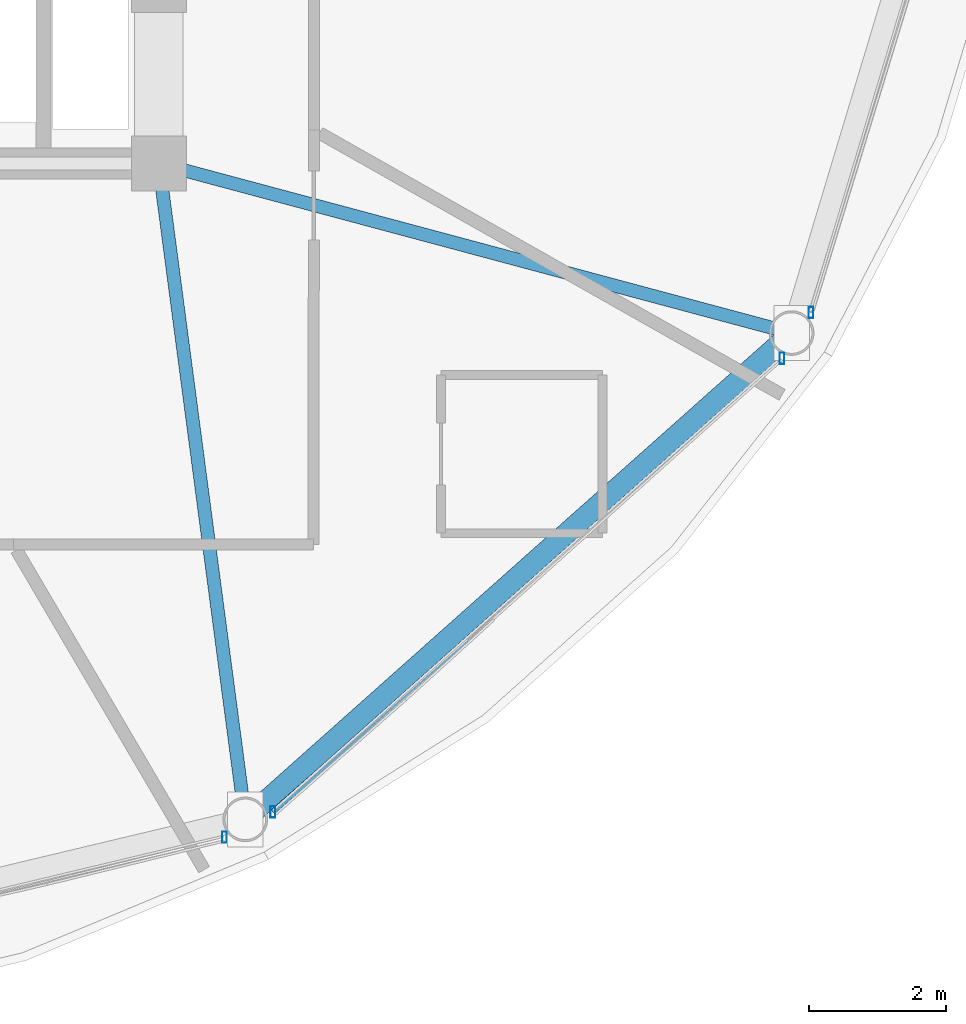
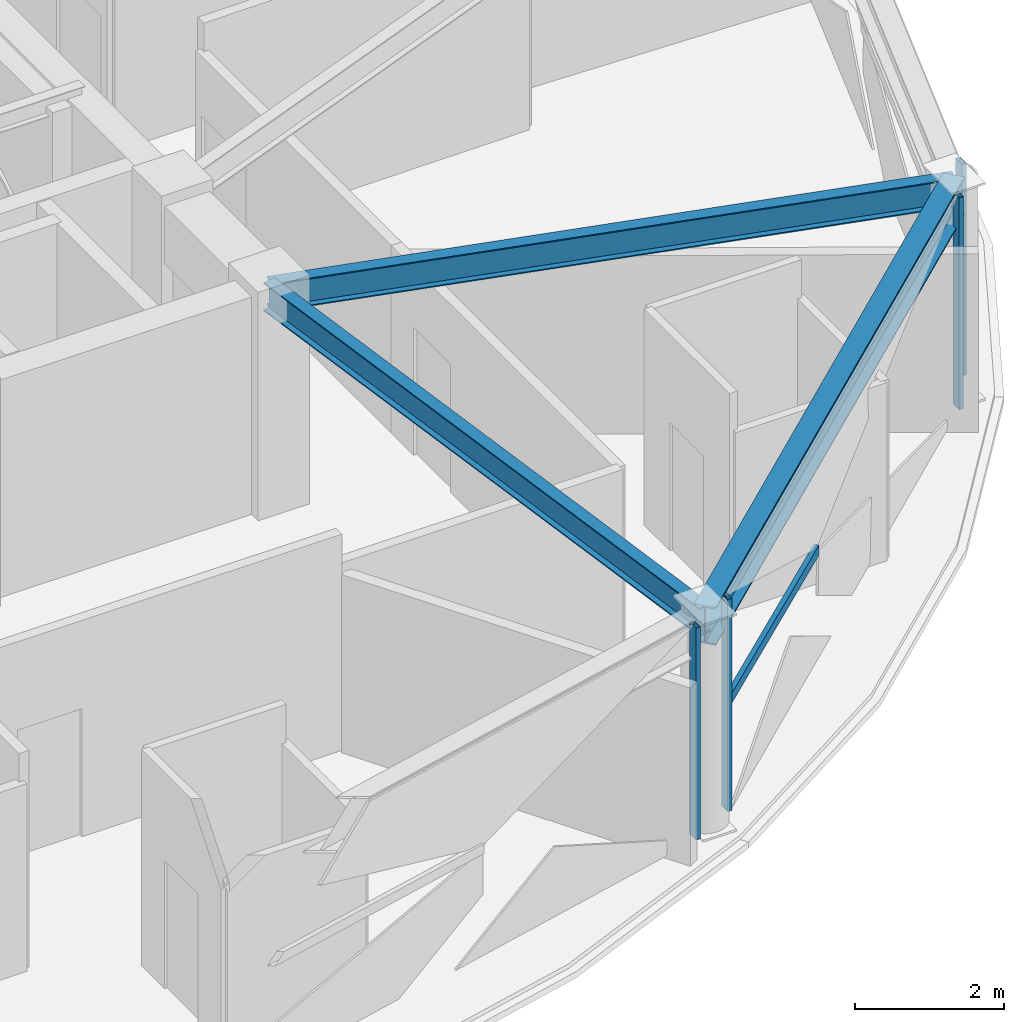
# One storey, part 11 of 28: 5 members, 3 beams, 3 elements without a shape of their own.
"""IFC4 building model written with IfcOpenShell, lengths in metres."""

import ifcopenshell
import ifcopenshell.guid

model = None  # the IFC model being written
_history = None  # IfcOwnerHistory: only IFC2X3 demands one
_inside = {}  # id of a spatial element -> (the spatial element, [elements in it])
_under = {}  # id of a project, library or spatial element -> (it, [spatial elements below it])
_declared = {}  # id of a project -> (the project, [libraries it declares])
_typed = {}  # id of a type object -> (the type object, [elements of that type])
_made_of = {}  # id of a material, layer set ... -> (it, [elements and type objects made of it])


def new_model(schema):
    """Start an empty IFC model of exactly this schema.

    Asked for "IFC4X3", IfcOpenShell would pick the latest addendum, in which some entities
    have other attributes; the version numbers below select the first issue.
    IFC2X3 requires an IfcOwnerHistory on every rooted entity: one is made here for all.
    """
    global model, _history
    if schema == "IFC4X3":
        model = ifcopenshell.file(schema_version=(4, 3, 0, 0))
    else:
        model = ifcopenshell.file(schema=schema)
    _inside.clear()
    _under.clear()
    _declared.clear()
    _typed.clear()
    _made_of.clear()
    _history = None
    if model.schema == "IFC2X3":
        org = make("IfcOrganization", Name="unknown")
        user = make(
            "IfcPersonAndOrganization",
            ThePerson=make("IfcPerson", FamilyName="unknown"),
            TheOrganization=org,
        )
        app = make(
            "IfcApplication",
            ApplicationDeveloper=org,
            Version="unknown",
            ApplicationFullName="unknown",
            ApplicationIdentifier="unknown",
        )
        _history = make(
            "IfcOwnerHistory",
            OwningUser=user,
            OwningApplication=app,
            ChangeAction="ADDED",
            CreationDate=0,
        )
    return model


def make(cls, **values):
    """One entity of the class cls with the attributes given. An attribute that is None is left unset."""
    return model.create_entity(
        cls, **{name: value for name, value in values.items() if value is not None}
    )


def rooted(cls, **values):
    """An entity with a GlobalId (a new one), such as an element, a storey or a relation."""
    return make(cls, GlobalId=ifcopenshell.guid.new(), OwnerHistory=_history, **values)


def si_unit(unit_type, name, prefix=None):
    """IfcSIUnit, for example si_unit("LENGTHUNIT", "METRE", prefix="MILLI")."""
    return make("IfcSIUnit", UnitType=unit_type, Prefix=prefix, Name=name)


def assignment(units):
    """IfcUnitAssignment: the units of a project."""
    return None if units is None else make("IfcUnitAssignment", Units=units)


def point(xyz):
    """IfcCartesianPoint."""
    return None if xyz is None else make("IfcCartesianPoint", Coordinates=xyz)


def direction(xyz):
    """IfcDirection."""
    return None if xyz is None else make("IfcDirection", DirectionRatios=xyz)


def frame(location, z_axis=None, x_axis=None):
    """IfcAxis2Placement3D, a coordinate frame: its origin and axes. An axis left out is left unset."""
    return make(
        "IfcAxis2Placement3D",
        Location=point(location),
        Axis=direction(z_axis),
        RefDirection=direction(x_axis),
    )


def frame_2d(location, x_axis=None):
    """IfcAxis2Placement2D, a coordinate frame in the plane: its origin and x axis."""
    return make(
        "IfcAxis2Placement2D", Location=point(location), RefDirection=direction(x_axis)
    )


def origin():
    """The frame at (0, 0, 0) with its axes left unset."""
    return frame((0.0, 0.0, 0.0))


def origin_2d():
    """The frame at (0, 0) in the plane with its x axis left unset."""
    return frame_2d((0.0, 0.0))


def place(relative_to, where):
    """IfcLocalPlacement: puts the frame where relative to a parent placement (None: the world)."""
    return make(
        "IfcLocalPlacement", PlacementRelTo=relative_to, RelativePlacement=where
    )


def context(
    kind, dimensions, precision=None, world=None, true_north=None, identifier=None
):
    """IfcGeometricRepresentationContext, for example the 3D "Model" context."""
    return make(
        "IfcGeometricRepresentationContext",
        ContextIdentifier=identifier,
        ContextType=kind,
        CoordinateSpaceDimension=dimensions,
        Precision=precision,
        WorldCoordinateSystem=world,
        TrueNorth=true_north,
    )


def subcontext(parent, identifier, kind, view, scale=None):
    """IfcGeometricRepresentationSubContext, for example "Body" below "Model"."""
    return make(
        "IfcGeometricRepresentationSubContext",
        ContextIdentifier=identifier,
        ContextType=kind,
        ParentContext=parent,
        TargetScale=scale,
        TargetView=view,
    )


def project(units=None, contexts=None):
    """IfcProject with its units and contexts."""
    return rooted(
        "IfcProject",
        Name="project",
        RepresentationContexts=contexts,
        UnitsInContext=assignment(units),
    )


def spatial(cls, under=None, at=None, **own):
    """A site, building, storey or space (cls), placed at a placement, below another one or the project."""
    s = rooted(cls, ObjectPlacement=at, **own)
    if under is not None:
        _under.setdefault(under.id(), (under, []))[1].append(s)
    return s


def profile(cls, at=None, kind="AREA", **sizes):
    """A parametric profile (cls). Its sizes go by their IFC names, for example OverallWidth=200.0."""
    return make(cls, ProfileType=kind, Position=at, **sizes)


def hollow_rectangle(**sizes):
    """IfcRectangleHollowProfileDef."""
    return profile("IfcRectangleHollowProfileDef", **sizes)


def i_section(**sizes):
    """IfcIShapeProfileDef."""
    return profile("IfcIShapeProfileDef", **sizes)


def extrude(swept, where, along, depth):
    """IfcExtrudedAreaSolid: the profile swept, set in the frame where, extruded along a direction by depth."""
    return make(
        "IfcExtrudedAreaSolid",
        SweptArea=swept,
        Position=where,
        ExtrudedDirection=direction(along),
        Depth=depth,
    )


def shape(context_of_items, identifier, shape_type, items):
    """IfcShapeRepresentation: the items that make up one representation, for example the "Body"."""
    return make(
        "IfcShapeRepresentation",
        ContextOfItems=context_of_items,
        RepresentationIdentifier=identifier,
        RepresentationType=shape_type,
        Items=items,
    )


def material(Name=None, Category=None):
    """IfcMaterial."""
    return make("IfcMaterial", Name=Name, Category=Category)


def layer(
    of_material, thickness, ventilated=None, Name=None, Category=None, Priority=None
):
    """IfcMaterialLayer: one layer of a wall or slab, of a material (None: an air gap)."""
    return make(
        "IfcMaterialLayer",
        Material=of_material,
        LayerThickness=thickness,
        IsVentilated=ventilated,
        Name=Name,
        Category=Category,
        Priority=Priority,
    )


def layer_set(layers, Name=None):
    """IfcMaterialLayerSet."""
    return make("IfcMaterialLayerSet", MaterialLayers=layers, LayerSetName=Name)


def material_profile(
    of_material, cross_section, Name=None, Category=None, Priority=None
):
    """IfcMaterialProfile: a cross section and its material."""
    return make(
        "IfcMaterialProfile",
        Name=Name,
        Material=of_material,
        Profile=cross_section,
        Priority=Priority,
        Category=Category,
    )


def profile_set(profiles, Name=None, composite=None):
    """IfcMaterialProfileSet."""
    return make(
        "IfcMaterialProfileSet",
        Name=Name,
        MaterialProfiles=profiles,
        CompositeProfile=composite,
    )


def made_of(thing, what):
    """Note that an element or type object is made of a material, layer set ...; save() writes the relation."""
    if what is not None:
        _made_of.setdefault(what.id(), (what, []))[1].append(thing)
    return thing


def type_object(cls, material=None, **own):
    """A type object (cls), such as IfcWallType, which elements share."""
    return made_of(rooted(cls, **own), material)


def element(
    cls,
    number,
    at=None,
    inside=None,
    cuts=None,
    type_object=None,
    material=None,
    context=None,
    identifier="Body",
    shape_type=None,
    held_by="IfcProductDefinitionShape",
    body=None,
    shapes=None,
    **own,
):
    """One element of the class cls, such as IfcWall. Its Tag is "e" and its number.

    at: its placement. inside: the storey or other place that contains it. cuts: it is an
    opening in that element (IfcRelVoidsElement). A single representation is given by context,
    identifier, shape_type and body (its items); several are given by shapes. held_by: the class
    of the entity that holds the representations. save() writes the other relations.
    """
    e = rooted(cls, Tag="e%d" % number, ObjectPlacement=at, **own)
    if body is not None:
        shapes = [shape(context, identifier, shape_type, body)]
    if shapes is not None:
        e.Representation = make(held_by, Representations=shapes)
    if inside is not None:
        _inside.setdefault(inside.id(), (inside, []))[1].append(e)
    if cuts is not None:
        rooted(
            "IfcRelVoidsElement", RelatingBuildingElement=cuts, RelatedOpeningElement=e
        )
    if type_object is not None:
        _typed.setdefault(type_object.id(), (type_object, []))[1].append(e)
    return made_of(e, material)


def aggregate(whole, parts):
    """IfcRelAggregates: a whole, such as a stair, and the parts it consists of."""
    return rooted("IfcRelAggregates", RelatingObject=whole, RelatedObjects=parts)


def save(model, path):
    """Write the relations noted so far, then the file.

    IfcRelAggregates (storeys below a building ...), IfcRelContainedInSpatialStructure (elements
    in a storey), IfcRelDefinesByType, IfcRelAssociatesMaterial and IfcRelDeclares: one each for
    every whole, place, type object, material and project.
    """
    for whole, parts in _under.values():
        aggregate(whole, parts)
    for where, things in _inside.values():
        rooted(
            "IfcRelContainedInSpatialStructure",
            RelatedElements=things,
            RelatingStructure=where,
        )
    for kind, things in _typed.values():
        rooted("IfcRelDefinesByType", RelatedObjects=things, RelatingType=kind)
    for what, things in _made_of.values():
        rooted("IfcRelAssociatesMaterial", RelatedObjects=things, RelatingMaterial=what)
    for by, libraries in _declared.values():
        rooted("IfcRelDeclares", RelatingContext=by, RelatedDefinitions=libraries)
    model.write(path)


model = new_model("IFC4")

# Units and contexts
model_context = context("Model", 3, precision=1e-05, world=origin(), true_north=direction((0.0, 1.0)))
body_context = subcontext(model_context, "Body", "Model", "MODEL_VIEW")
ifc_project = project(units=[si_unit("LENGTHUNIT", "METRE"), si_unit("AREAUNIT", "SQUARE_METRE"), si_unit("VOLUMEUNIT", "CUBIC_METRE"), si_unit("PLANEANGLEUNIT", "RADIAN"), si_unit("MASSUNIT", "GRAM", prefix="KILO")], contexts=[model_context])

# Site, building, storey
site_placement = place(None, origin())
site = spatial("IfcSite", under=ifc_project, at=site_placement, CompositionType="ELEMENT")
building_placement = place(site_placement, origin())
building = spatial("IfcBuilding", under=site, at=building_placement, Name="Vantalir Tower", CompositionType="ELEMENT")
storey_placement = place(building_placement, frame((0.0, 0.0, 238.64990234375)))
storey = spatial("IfcBuildingStorey", under=building, at=storey_placement, Name="L60", CompositionType="ELEMENT", Elevation=238.64990234375)

# Beams
ifc_material_1 = material(Name="Steel S355", Category="steel")
ifc_material_profile_1 = material_profile(ifc_material_1, i_section(OverallWidth=0.19189453125, OverallDepth=0.462890625, WebThickness=0.010498046875, FlangeThickness=0.017578125, at=origin_2d()), Name="Steel S355")
ifc_profile_set_1 = profile_set([ifc_material_profile_1], Name="Steel S355")
beam_type_1 = type_object("IfcBeamType", Name="BM-RB-457x191", PredefinedType="BEAM", material=ifc_profile_set_1)
beam_1_placement = place(storey_placement, frame((42.35888671875, 8.257080078125, 3.338134765625), z_axis=(-0.130774684438, 0.991412115071, 0.0), x_axis=(-0.991412115071, -0.130774684438, 0.0)))
element("IfcBeam", 1, at=beam_1_placement, inside=storey, type_object=beam_type_1, Name="L60 Radial Floor Beam 11", PredefinedType="BEAM", context=body_context, shape_type="SweptSolid", body=[
    extrude(i_section(OverallWidth=0.19189453125, OverallDepth=0.462890625, WebThickness=0.010498046875, FlangeThickness=0.017578125, at=origin_2d()), origin(), (0.0, 0.0, 1.0), 9.625732421875),
])
beam_2_placement = place(storey_placement, frame((50.30810546875, 15.3330078125, 3.338134765625), z_axis=(-0.965932047749, 0.25879582518, 0.0), x_axis=(-0.25879582518, -0.965932047749, 0.0)))
element("IfcBeam", 2, at=beam_2_placement, inside=storey, type_object=beam_type_1, Name="L60 Radial Floor Beam 12", PredefinedType="BEAM", context=body_context, shape_type="SweptSolid", body=[
    extrude(i_section(OverallWidth=0.19189453125, OverallDepth=0.462890625, WebThickness=0.010498046875, FlangeThickness=0.017578125, at=origin_2d()), origin(), (0.0, 0.0, 1.0), 9.53271484375),
])
ifc_material_2 = material(Name="Steel S460", Category="steel")
ifc_material_profile_2 = material_profile(ifc_material_2, i_section(OverallWidth=0.306884765625, OverallDepth=0.6201171875, WebThickness=0.01416015625, FlangeThickness=0.023681640625, at=origin_2d()), Name="Steel S460")
ifc_profile_set_2 = profile_set([ifc_material_profile_2], Name="Steel S460")
beam_type_2 = type_object("IfcBeamType", Name="BM-RG-610x305", PredefinedType="USERDEFINED", material=ifc_profile_set_2)
beam_3_placement = place(storey_placement, frame((42.35888671875, 8.257080078125, 3.260009765625), z_axis=(0.746944629215, 0.664886246577, 0.0), x_axis=(-0.664886246577, 0.746944629215, 0.0)))
element("IfcBeam", 3, at=beam_3_placement, inside=storey, type_object=beam_type_2, Name="L60 Circumferential Ring Girder 11", ObjectType="GIRDER", PredefinedType="USERDEFINED", context=body_context, shape_type="SweptSolid", body=[
    extrude(i_section(OverallWidth=0.306884765625, OverallDepth=0.6201171875, WebThickness=0.01416015625, FlangeThickness=0.023681640625, at=origin_2d()), origin(), (0.0, 0.0, 1.0), 10.642333984375),
])

# Curtain wall, member
ifc_material_3 = material(Name="Champagne-silver PVDF aluminium and double-silver Low-E glass", Category="aluminium")
ifc_layer = layer(ifc_material_3, 0.2099609375)
ifc_layer_set = layer_set([ifc_layer], Name="Champagne-silver PVDF aluminium and double-silver Low-E glass")
curtain_wall_type = type_object("IfcCurtainWallType", Name="CW-DIAMOND-Z3", PredefinedType="USERDEFINED", material=ifc_layer_set)
curtain_wall_1_placement = place(storey_placement, origin())
curtain_wall_1 = element("IfcCurtainWall", 4, at=curtain_wall_1_placement, inside=storey, type_object=curtain_wall_type, Name="L60 Quilted Pyramid-Diamond Curtain Wall S10", ObjectType="UNITISED CURTAIN WALL", PredefinedType="USERDEFINED")
ifc_material_4 = material(Name="Champagne-silver PVDF aluminium 6063-T6", Category="aluminium")
ifc_material_profile_3 = material_profile(ifc_material_4, hollow_rectangle(XDim=0.070068359375, YDim=0.1650390625, WallThickness=0.00390625, at=origin_2d()), Name="Champagne-silver PVDF aluminium 6063-T6")
ifc_profile_set_3 = profile_set([ifc_material_profile_3], Name="Champagne-silver PVDF aluminium 6063-T6")
member_type_1 = type_object("IfcMemberType", Name="CWM-165x70", PredefinedType="MULLION", material=ifc_profile_set_3)
member_1_placement = place(storey_placement, frame((42.054931640625, 7.998046875, 0.045166015625), z_axis=(0.0, 0.0, 1.0), x_axis=(1.0, 0.0, 0.0)))
member_1 = element("IfcMember", 5, at=member_1_placement, type_object=member_type_1, Name="CW-L60-S10 Mullion 2", PredefinedType="MULLION", context=body_context, shape_type="SweptSolid", body=[
    extrude(hollow_rectangle(XDim=0.070068359375, YDim=0.1650390625, WallThickness=0.00390625, at=origin_2d()), origin(), (0.0, 0.0, 1.0), 3.47998046875),
])
aggregate(curtain_wall_1, [member_1])

# Curtain wall, members
curtain_wall_2_placement = place(storey_placement, origin())
curtain_wall_2 = element("IfcCurtainWall", 6, at=curtain_wall_2_placement, inside=storey, type_object=curtain_wall_type, Name="L60 Quilted Pyramid-Diamond Curtain Wall S11", ObjectType="UNITISED CURTAIN WALL", PredefinedType="USERDEFINED")
member_2_placement = place(storey_placement, frame((42.760009765625, 8.365966796875, 0.045166015625), z_axis=(0.0, 0.0, 1.0), x_axis=(1.0, 0.0, 0.0)))
member_2 = element("IfcMember", 7, at=member_2_placement, type_object=member_type_1, Name="CW-L60-S11 Mullion 1", PredefinedType="MULLION", context=body_context, shape_type="SweptSolid", body=[
    extrude(hollow_rectangle(XDim=0.070068359375, YDim=0.1650390625, WallThickness=0.00390625, at=origin_2d()), origin(), (0.0, 0.0, 1.0), 3.47998046875),
])
member_3_placement = place(storey_placement, frame((50.1669921875, 14.965087890625, 0.045166015625), z_axis=(0.0, 0.0, 1.0), x_axis=(1.0, 0.0, 0.0)))
member_3 = element("IfcMember", 8, at=member_3_placement, type_object=member_type_1, Name="CW-L60-S11 Mullion 2", PredefinedType="MULLION", context=body_context, shape_type="SweptSolid", body=[
    extrude(hollow_rectangle(XDim=0.070068359375, YDim=0.1650390625, WallThickness=0.00390625, at=origin_2d()), origin(), (0.0, 0.0, 1.0), 3.47998046875),
])

# Curtain wall, member
curtain_wall_3_placement = place(storey_placement, origin())
curtain_wall_3 = element("IfcCurtainWall", 9, at=curtain_wall_3_placement, inside=storey, type_object=curtain_wall_type, Name="L60 Quilted Pyramid-Diamond Curtain Wall S12", ObjectType="UNITISED CURTAIN WALL", PredefinedType="USERDEFINED")
member_4_placement = place(storey_placement, frame((50.591064453125, 15.631103515625, 0.045166015625), z_axis=(0.0, 0.0, 1.0), x_axis=(1.0, 0.0, 0.0)))
member_4 = element("IfcMember", 10, at=member_4_placement, type_object=member_type_1, Name="CW-L60-S12 Mullion 1", PredefinedType="MULLION", context=body_context, shape_type="SweptSolid", body=[
    extrude(hollow_rectangle(XDim=0.070068359375, YDim=0.1650390625, WallThickness=0.00390625, at=origin_2d()), origin(), (0.0, 0.0, 1.0), 3.47998046875),
])
aggregate(curtain_wall_3, [member_4])

# Member
ifc_material_profile_4 = material_profile(ifc_material_4, hollow_rectangle(XDim=0.074951171875, YDim=0.159912109375, WallThickness=0.00390625, at=origin_2d()), Name="Champagne-silver PVDF aluminium 6063-T6")
ifc_profile_set_4 = profile_set([ifc_material_profile_4], Name="Champagne-silver PVDF aluminium 6063-T6")
member_type_2 = type_object("IfcMemberType", Name="CWT-160x75", PredefinedType="USERDEFINED", material=ifc_profile_set_4)
member_5_placement = place(storey_placement, frame((42.760009765625, 8.365966796875, 1.78515625), z_axis=(0.75087400777, 0.660445474248, 0.0), x_axis=(-0.660445474248, 0.75087400777, 0.0)))
member_5 = element("IfcMember", 11, at=member_5_placement, type_object=member_type_2, Name="CW-L60-S11 Pyramid Fold Ridge Transom", ObjectType="TRANSOM", PredefinedType="USERDEFINED", context=body_context, shape_type="SweptSolid", body=[
    extrude(hollow_rectangle(XDim=0.074951171875, YDim=0.159912109375, WallThickness=0.00390625, at=origin_2d()), origin(), (0.0, 0.0, 1.0), 3.771728515625),
])

aggregate(curtain_wall_2, [member_2, member_3, member_5])

save(model, "model.ifc")
